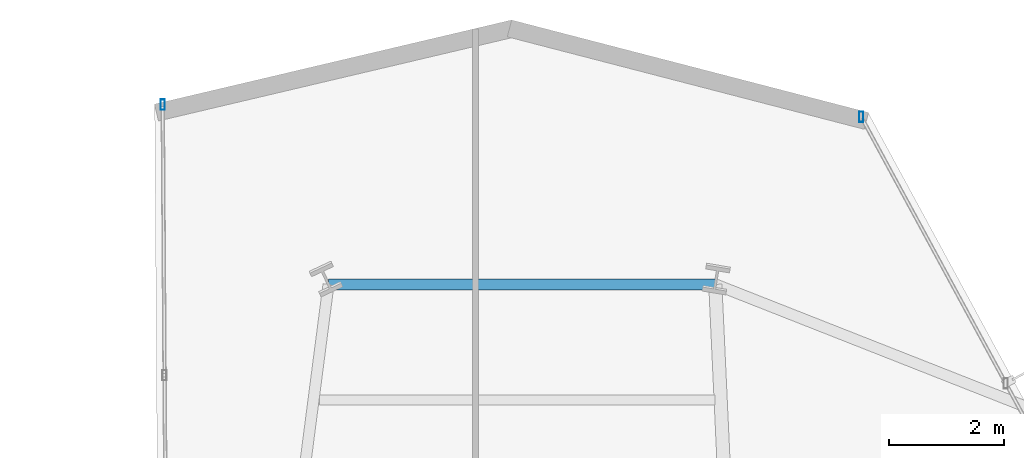
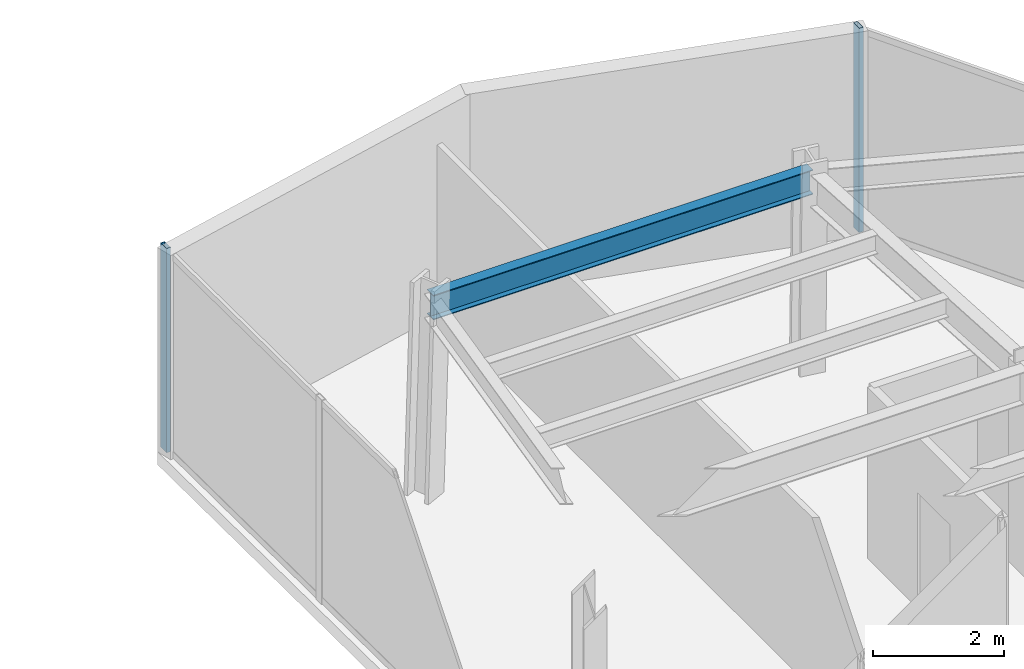
# One storey, part 19 of 26: 2 members, 1 beam, 2 elements without a shape of their own.
"""IFC4 building model written with IfcOpenShell, lengths in metres."""

from ifc_helpers import new_model, si_unit, direction, frame, origin, origin_2d, place, context, subcontext, project, spatial, hollow_rectangle, i_section, extrude, material, layer, layer_set, material_profile, profile_set, type_object, element, aggregate, save


model = new_model("IFC4")

# Units and contexts
model_context = context("Model", 3, precision=1e-05, world=origin(), true_north=direction((0.0, 1.0)))
body_context = subcontext(model_context, "Body", "Model", "MODEL_VIEW")
ifc_project = project(units=[si_unit("LENGTHUNIT", "METRE"), si_unit("AREAUNIT", "SQUARE_METRE"), si_unit("VOLUMEUNIT", "CUBIC_METRE"), si_unit("PLANEANGLEUNIT", "RADIAN"), si_unit("MASSUNIT", "GRAM", prefix="KILO")], contexts=[model_context])

# Site, building, storey
site_placement = place(None, origin())
site = spatial("IfcSite", under=ifc_project, at=site_placement, CompositionType="ELEMENT")
building_placement = place(site_placement, origin())
building = spatial("IfcBuilding", under=site, at=building_placement, Name="Veymaron Broadcast Tower", CompositionType="ELEMENT")
storey_placement = place(building_placement, frame((0.0, 0.0, 157.35009765625)))
storey = spatial("IfcBuildingStorey", under=building, at=storey_placement, Name="L36", CompositionType="ELEMENT", Elevation=157.35009765625)

# Beam
ifc_material_1 = material(Name="Structural steel ASTM A992 Gr 50", Category="steel")
ifc_material_profile_1 = material_profile(ifc_material_1, i_section(OverallWidth=0.19091796875, OverallDepth=0.4599609375, WebThickness=0.010009765625, FlangeThickness=0.01611328125, at=origin_2d()), Name="W460X82")
ifc_profile_set_1 = profile_set([ifc_material_profile_1], Name="Structural steel ASTM A992 Gr 50")
beam_type = type_object("IfcBeamType", Name="BM-SP1", PredefinedType="SPANDREL", material=ifc_profile_set_1)
beam_placement = place(storey_placement, frame((32.011962890625, 38.260009765625, 3.579833984375), z_axis=(1.0, 0.0, 0.0), x_axis=(0.0, 1.0, 0.0)))
element("IfcBeam", 1, at=beam_placement, inside=storey, type_object=beam_type, Name="L36 primary structural floor girder", PredefinedType="SPANDREL", context=body_context, shape_type="SweptSolid", body=[
    extrude(i_section(OverallWidth=0.19091796875, OverallDepth=0.4599609375, WebThickness=0.010009765625, FlangeThickness=0.01611328125, at=origin_2d()), origin(), (0.0, 0.0, 1.0), 6.697998046875),
])

# Curtain wall, member
ifc_material_2 = material(Name="Anodised aluminium AA 6063-T6 and laminated low-E dark glass", Category="aluminium")
ifc_layer = layer(ifc_material_2, 0.179931640625)
ifc_layer_set = layer_set([ifc_layer], Name="Anodised aluminium AA 6063-T6 and laminated low-E dark glass")
curtain_wall_type = type_object("IfcCurtainWallType", Name="CW-SYS-03", PredefinedType="NOTDEFINED", material=ifc_layer_set)
curtain_wall_1_placement = place(storey_placement, origin())
curtain_wall_1 = element("IfcCurtainWall", 2, at=curtain_wall_1_placement, inside=storey, type_object=curtain_wall_type, Name="L36 dark-glass curtain wall CW-L36-E5-1", PredefinedType="NOTDEFINED")
ifc_material_3 = material(Name="Anodised aluminium AA 6063-T6", Category="aluminium")
ifc_material_profile_2 = material_profile(ifc_material_3, hollow_rectangle(XDim=0.074951171875, YDim=0.179931640625, WallThickness=0.0048828125, at=origin_2d()), Name="AL180X75X5")
ifc_profile_set_2 = profile_set([ifc_material_profile_2], Name="Anodised aluminium AA 6063-T6")
member_type = type_object("IfcMemberType", Name="CW-MUL-02", PredefinedType="MULLION", material=ifc_profile_set_2)
member_1_placement = place(storey_placement, frame((41.237548828125, 41.160400390625, 0.0), z_axis=(0.0, 0.0, 1.0), x_axis=(1.0, 0.0, 0.0)))
member_1 = element("IfcMember", 3, at=member_1_placement, type_object=member_type, Name="CW-L36-E5-1 mullion 2", PredefinedType="MULLION", context=body_context, shape_type="SweptSolid", body=[
    extrude(hollow_rectangle(XDim=0.074951171875, YDim=0.179931640625, WallThickness=0.0048828125, at=origin_2d()), origin(), (0.0, 0.0, 1.0), 3.809814453125),
])
aggregate(curtain_wall_1, [member_1])

curtain_wall_2_placement = place(storey_placement, origin())
curtain_wall_2 = element("IfcCurtainWall", 4, at=curtain_wall_2_placement, inside=storey, type_object=curtain_wall_type, Name="L36 dark-glass curtain wall CW-L36-E8-1", PredefinedType="NOTDEFINED")
member_2_placement = place(storey_placement, frame((29.14111328125, 41.373779296875, 0.0), z_axis=(0.0, 0.0, 1.0), x_axis=(1.0, 0.0, 0.0)))
member_2 = element("IfcMember", 5, at=member_2_placement, type_object=member_type, Name="CW-L36-E8-1 mullion 0", PredefinedType="MULLION", context=body_context, shape_type="SweptSolid", body=[
    extrude(hollow_rectangle(XDim=0.074951171875, YDim=0.179931640625, WallThickness=0.0048828125, at=origin_2d()), origin(), (0.0, 0.0, 1.0), 3.809814453125),
])
aggregate(curtain_wall_2, [member_2])

save(model, "model.ifc")
